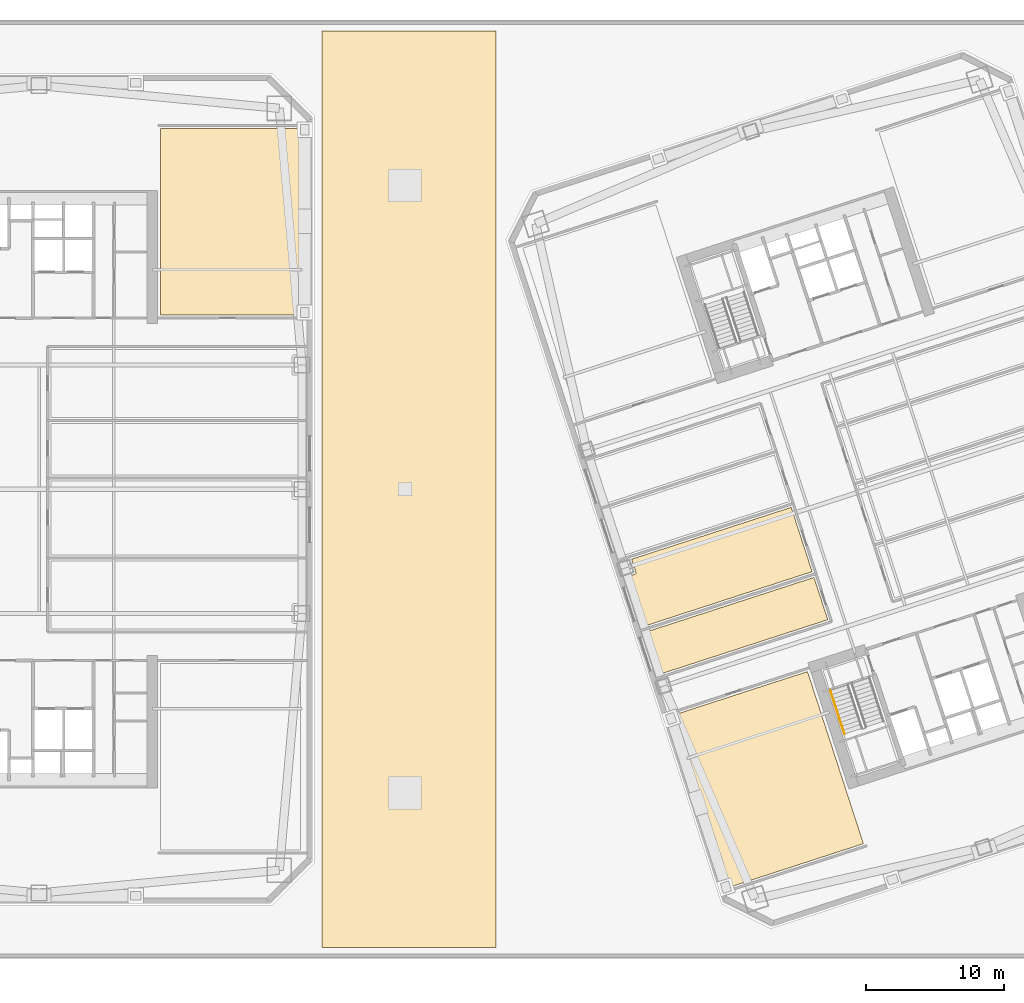
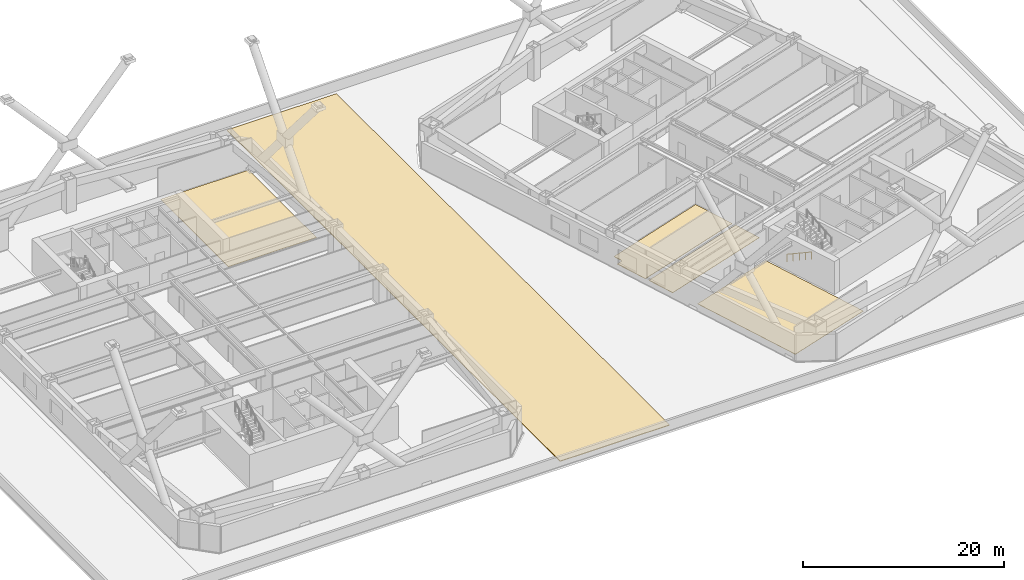
# One storey, part 17 of 20: 5 coverings, 1 railing.
"""IFC4 building model written with IfcOpenShell, lengths in metres."""

from ifc_helpers import new_model, si_unit, direction, frame, origin, origin_2d, place, context, subcontext, project, spatial, polyline, circle, outline, extrude, material, layer, layer_set, type_object, element, save


model = new_model("IFC4")

# Units and contexts
model_context = context("Model", 3, precision=1e-05, world=origin(), true_north=direction((0.0, 1.0)))
body_context = subcontext(model_context, "Body", "Model", "MODEL_VIEW")
ifc_project = project(units=[si_unit("LENGTHUNIT", "METRE"), si_unit("AREAUNIT", "SQUARE_METRE"), si_unit("VOLUMEUNIT", "CUBIC_METRE"), si_unit("PLANEANGLEUNIT", "RADIAN"), si_unit("MASSUNIT", "GRAM", prefix="KILO")], contexts=[model_context])

# Site, building, storey
site_placement = place(None, origin())
site = spatial("IfcSite", under=ifc_project, at=site_placement, CompositionType="ELEMENT")
building_placement = place(site_placement, origin())
building = spatial("IfcBuilding", under=site, at=building_placement, Name="Qiaolan Cultural Towers", CompositionType="ELEMENT")
storey_placement = place(building_placement, frame((0.0, 0.0, 26.0)))
storey = spatial("IfcBuildingStorey", under=building, at=storey_placement, Name="L05", CompositionType="ELEMENT", Elevation=26.0)

# Coverings
ifc_material_1 = material(Name="Honed Terrazzo & Raised Access Flooring", Category="concrete")
ifc_layer_1 = layer(ifc_material_1, 0.0400390625)
ifc_layer_set_1 = layer_set([ifc_layer_1], Name="Honed Terrazzo & Raised Access Flooring")
covering_type_1 = type_object("IfcCoveringType", Name="COV-FLR-STONE", PredefinedType="FLOORING", material=ifc_layer_set_1)
covering_1_placement = place(storey_placement, origin())
element("IfcCovering", 1, at=covering_1_placement, inside=storey, type_object=covering_type_1, Name="L05 Corner Gallery Exhibition Room Finish Flooring", PredefinedType="FLOORING", context=body_context, shape_type="SweptSolid", body=[
    extrude(outline(polyline([(48.929931640625, 46.6201171875), (48.929931640625, 60.1298828125), (38.800048828125, 60.1298828125), (38.800048828125, 46.6201171875), (48.929931640625, 46.6201171875)])), origin(), (0.0, 0.0, 1.0), 0.0400390625),
])
covering_2_placement = place(storey_placement, origin())
element("IfcCovering", 2, at=covering_2_placement, inside=storey, type_object=covering_type_1, Name="L05 Corner Gallery Exhibition Room Finish Flooring", PredefinedType="FLOORING", context=body_context, shape_type="SweptSolid", body=[
    extrude(outline(polyline([(89.7197265625, 8.326904296875), (85.66845703125, 20.795166015625), (76.034423828125, 17.664794921875), (80.08544921875, 5.196533203125), (89.7197265625, 8.326904296875)])), origin(), (0.0, 0.0, 1.0), 0.0400390625),
])
covering_3_placement = place(storey_placement, origin())
element("IfcCovering", 3, at=covering_3_placement, inside=storey, type_object=covering_type_1, Name="L05 Gallery Exhibition Room Finish Flooring", PredefinedType="FLOORING", context=body_context, shape_type="SweptSolid", body=[
    extrude(outline(polyline([(87.13427734375, 24.552001953125), (86.13916015625, 27.615234375), (73.856201171875, 23.624267578125), (74.851318359375, 20.56103515625), (87.13427734375, 24.552001953125)])), origin(), (0.0, 0.0, 1.0), 0.0400390625),
])
covering_4_placement = place(storey_placement, origin())
element("IfcCovering", 4, at=covering_4_placement, inside=storey, type_object=covering_type_1, Name="L05 Curatorial Office Finish Flooring", PredefinedType="FLOORING", context=body_context, shape_type="SweptSolid", body=[
    extrude(outline(polyline([(73.23486328125, 27.995361328125), (73.238037109375, 27.984130859375), (73.239990234375, 27.972412109375), (73.24072265625, 27.960693359375), (73.240478515625, 27.948974609375), (73.239013671875, 27.937255859375), (73.236328125, 27.92578125), (73.232666015625, 27.91455078125), (73.227783203125, 27.90380859375), (73.221923828125, 27.8935546875), (73.215087890625, 27.884033203125), (73.207275390625, 27.875244140625), (73.19873046875, 27.8671875), (73.189453125, 27.85986328125), (73.179443359375, 27.853759765625), (73.1689453125, 27.848388671875), (73.157958984375, 27.84423828125), (72.54931640625, 27.646484375), (73.72021484375, 24.042724609375), (86.003173828125, 28.03369140625), (84.4892578125, 32.693115234375), (72.928955078125, 28.93701171875), (73.23486328125, 27.995361328125)])), origin(), (0.0, 0.0, 1.0), 0.0400390625),
])
ifc_material_2 = material(Name="TPO Waterproofing & Extruded Polystyrene Inverted Roof System", Category="bitumen")
ifc_layer_2 = layer(ifc_material_2, 0.080078125)
ifc_layer_set_2 = layer_set([ifc_layer_2], Name="TPO Waterproofing & Extruded Polystyrene Inverted Roof System")
covering_type_2 = type_object("IfcCoveringType", Name="COV-ROOF-MEMB", PredefinedType="ROOFING", material=ifc_layer_set_2)
covering_5_placement = place(storey_placement, origin())
element("IfcCovering", 5, at=covering_5_placement, inside=storey, type_object=covering_type_2, Name="Podium Inverted Waterproofing Roof Membrane COV-PRF-C", PredefinedType="ROOFING", context=body_context, shape_type="SweptSolid", body=[
    extrude(outline(polyline([(50.5, 0.800048828125), (63.10009765625, 0.800048828125), (63.10009765625, 67.199951171875), (50.5, 67.199951171875), (50.5, 0.800048828125)])), origin(), (0.0, 0.0, 1.0), 0.080078125),
])

# Railing
ifc_material_3 = material(Name="Stainless Steel S30408 Tubular Handrail", Category="steel")
railing_type = type_object("IfcRailingType", Name="RL-STAIR-HR", PredefinedType="HANDRAIL", material=ifc_material_3)
railing_placement = place(storey_placement, frame((87.32763671875, 19.41015625, 0.166748046875)))
element("IfcRailing", 6, at=railing_placement, inside=storey, type_object=railing_type, Name="L05 ST-E1 stair handrail 1", PredefinedType="HANDRAIL", context=body_context, shape_type="SweptSolid", body=[
    extrude(circle(Radius=0.02392578125, at=origin_2d()), frame((0.0, 0.0, 0.8759765625), z_axis=(0.270140520196, -0.831375721119, 0.485632072336), x_axis=(0.951053095941, 0.309027520945, 0.0)), (0.0, 0.0, 1.0), 3.77490234375),
    extrude(circle(Radius=0.02099609375, at=origin_2d()), origin(), (0.0, 0.0, 1.0), 0.851806640625),
    extrude(circle(Radius=0.02099609375, at=origin_2d()), frame((0.2548828125, -0.78466796875, 0.458251953125)), (0.0, 0.0, 1.0), 0.851806640625),
    extrude(circle(Radius=0.02099609375, at=origin_2d()), frame((0.509765625, -1.5693359375, 0.91650390625)), (0.0, 0.0, 1.0), 0.851806640625),
    extrude(circle(Radius=0.02099609375, at=origin_2d()), frame((0.764892578125, -2.353759765625, 1.375)), (0.0, 0.0, 1.0), 0.851806640625),
    extrude(circle(Radius=0.02099609375, at=origin_2d()), frame((1.019775390625, -3.138427734375, 1.833251953125)), (0.0, 0.0, 1.0), 0.851806640625),
])

save(model, "model.ifc")
